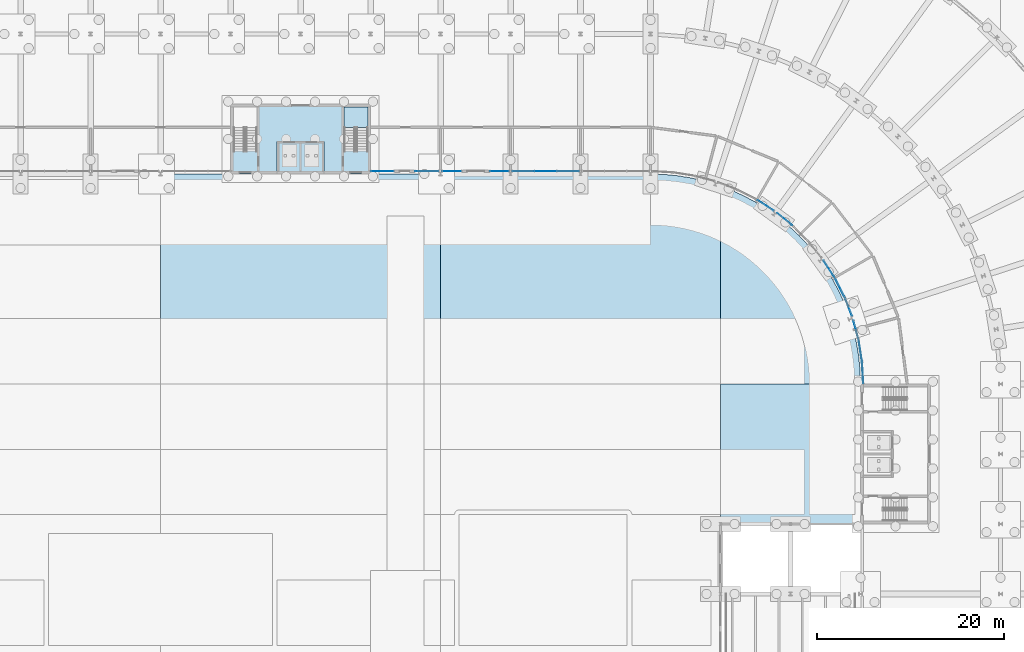
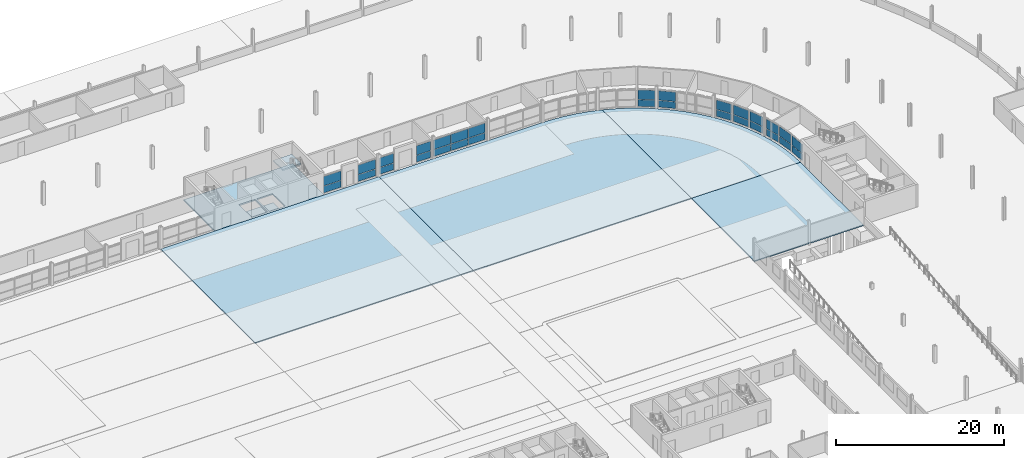
# One storey, part 73 of 130: 30 plates, 7 slabs, 14 elements without a shape of their own.
"""IFC4 building model written with IfcOpenShell, lengths in metres."""

from ifc_helpers import new_model, si_unit, direction, frame, origin, origin_2d, place, context, subcontext, project, spatial, polyline, rectangle, outline, extrude, material, layer, layer_set, type_object, element, aggregate, save


model = new_model("IFC4")

# Units and contexts
model_context = context("Model", 3, precision=1e-05, world=origin(), true_north=direction((0.0, 1.0)))
body_context = subcontext(model_context, "Body", "Model", "MODEL_VIEW")
ifc_project = project(units=[si_unit("LENGTHUNIT", "METRE"), si_unit("AREAUNIT", "SQUARE_METRE"), si_unit("VOLUMEUNIT", "CUBIC_METRE"), si_unit("PLANEANGLEUNIT", "RADIAN"), si_unit("MASSUNIT", "GRAM", prefix="KILO")], contexts=[model_context])

# Site, building, storey
site_placement = place(None, origin())
site = spatial("IfcSite", under=ifc_project, at=site_placement, CompositionType="ELEMENT")
building_placement = place(site_placement, origin())
building = spatial("IfcBuilding", under=site, at=building_placement, Name="Parallax Yard Mobility Hub", CompositionType="ELEMENT")
storey_placement = place(building_placement, origin())
storey = spatial("IfcBuildingStorey", under=building, at=storey_placement, Name="L00", CompositionType="ELEMENT", Elevation=0.0)

# Slab
ifc_material_1 = material(Name="Concrete fc' 28 MPa", Category="concrete")
ifc_layer_1 = layer(ifc_material_1, 0.199951171875)
ifc_layer_set_1 = layer_set([ifc_layer_1], Name="Core ground slab 200")
slab_type_1 = type_object("IfcSlabType", Name="Core ground slab 200", PredefinedType="BASESLAB", material=ifc_layer_set_1)
slab_1_placement = place(storey_placement, frame((0.0, 0.0, -0.199951171875)))
element("IfcSlab", 1, at=slab_1_placement, inside=storey, type_object=slab_type_1, Name="Core C-N2 ground slab", PredefinedType="BASESLAB", context=body_context, shape_type="SweptSolid", body=[
    extrude(outline(polyline([(142.5, 112.5), (127.5, 112.5), (127.5, 120.0), (142.5, 120.0), (142.5, 112.5)]), holes=[polyline([(137.300048828125, 112.800048828125), (137.300048828125, 115.800048828125), (135.10009765625, 115.800048828125), (135.10009765625, 112.800048828125), (137.300048828125, 112.800048828125)]), polyline([(132.699951171875, 112.800048828125), (134.89990234375, 112.800048828125), (134.89990234375, 115.800048828125), (132.699951171875, 115.800048828125), (132.699951171875, 112.800048828125)])]), origin(), (0.0, 0.0, 1.0), 0.199951171875),
])

# Curtain wall, plates
ifc_material_2 = material(Name="Aluminium and glass curtain wall", Category="aluminium")
curtain_wall_type = type_object("IfcCurtainWallType", Name="Curtain wall, aluminium stick system", PredefinedType="NOTDEFINED", material=ifc_material_2)
curtain_wall_1_placement = place(storey_placement, origin())
curtain_wall_1 = element("IfcCurtainWall", 2, at=curtain_wall_1_placement, inside=storey, type_object=curtain_wall_type, Name="Curtain wall CW18 level L00 bay 14", PredefinedType="NOTDEFINED")
ifc_material_3 = material(Name="Glass, laminated double glazing", Category="glass")
ifc_layer_2 = layer(ifc_material_3, 0.028076171875)
ifc_layer_set_2 = layer_set([ifc_layer_2], Name="Curtain wall glass, laminated double glazing 28")
plate_type = type_object("IfcPlateType", Name="Curtain wall glass, laminated double glazing 28", PredefinedType="CURTAIN_PANEL", material=ifc_layer_set_2)
plate_1_placement = place(storey_placement, frame((143.779541015625, 112.800048828125, 0.06005859375), z_axis=(0.0, 0.0, 1.0), x_axis=(1.0, 0.0, 0.0)))
plate_1 = element("IfcPlate", 3, at=plate_1_placement, type_object=plate_type, Name="CW18 panel 1.1", PredefinedType="CURTAIN_PANEL", context=body_context, shape_type="SweptSolid", body=[
    extrude(rectangle(XDim=2.428955078125, YDim=0.028076171875, at=origin_2d()), origin(), (0.0, 0.0, 1.0), 0.9599609375),
])
plate_2_placement = place(storey_placement, frame((143.779541015625, 112.800048828125, 1.080078125), z_axis=(0.0, 0.0, 1.0), x_axis=(1.0, 0.0, 0.0)))
plate_2 = element("IfcPlate", 4, at=plate_2_placement, type_object=plate_type, Name="CW18 panel 1.2", PredefinedType="CURTAIN_PANEL", context=body_context, shape_type="SweptSolid", body=[
    extrude(rectangle(XDim=2.428955078125, YDim=0.028076171875, at=origin_2d()), origin(), (0.0, 0.0, 1.0), 1.360107421875),
])
aggregate(curtain_wall_1, [plate_1, plate_2])

curtain_wall_2_placement = place(storey_placement, origin())
curtain_wall_2 = element("IfcCurtainWall", 5, at=curtain_wall_2_placement, inside=storey, type_object=curtain_wall_type, Name="Curtain wall CW19 level L00 bay 14", PredefinedType="NOTDEFINED")
plate_3_placement = place(storey_placement, frame((148.528564453125, 112.800048828125, 0.06005859375), z_axis=(0.0, 0.0, 1.0), x_axis=(1.0, 0.0, 0.0)))
plate_3 = element("IfcPlate", 6, at=plate_3_placement, type_object=plate_type, Name="CW19 panel 1.1", PredefinedType="CURTAIN_PANEL", context=body_context, shape_type="SweptSolid", body=[
    extrude(rectangle(XDim=2.428955078125, YDim=0.028076171875, at=origin_2d()), origin(), (0.0, 0.0, 1.0), 0.9599609375),
])
plate_4_placement = place(storey_placement, frame((148.528564453125, 112.800048828125, 1.080078125), z_axis=(0.0, 0.0, 1.0), x_axis=(1.0, 0.0, 0.0)))
plate_4 = element("IfcPlate", 7, at=plate_4_placement, type_object=plate_type, Name="CW19 panel 1.2", PredefinedType="CURTAIN_PANEL", context=body_context, shape_type="SweptSolid", body=[
    extrude(rectangle(XDim=2.428955078125, YDim=0.028076171875, at=origin_2d()), origin(), (0.0, 0.0, 1.0), 1.360107421875),
])
aggregate(curtain_wall_2, [plate_3, plate_4])

curtain_wall_3_placement = place(storey_placement, origin())
curtain_wall_3 = element("IfcCurtainWall", 8, at=curtain_wall_3_placement, inside=storey, type_object=curtain_wall_type, Name="Curtain wall CW20 level L00 bay 15", PredefinedType="NOTDEFINED")
plate_5_placement = place(storey_placement, frame((151.234375, 112.800048828125, 0.06005859375), z_axis=(0.0, 0.0, 1.0), x_axis=(1.0, 0.0, 0.0)))
plate_5 = element("IfcPlate", 9, at=plate_5_placement, type_object=plate_type, Name="CW20 panel 1.1", PredefinedType="CURTAIN_PANEL", context=body_context, shape_type="SweptSolid", body=[
    extrude(rectangle(XDim=1.95458984375, YDim=0.028076171875, at=origin_2d()), origin(), (0.0, 0.0, 1.0), 0.9599609375),
])
plate_6_placement = place(storey_placement, frame((151.234375, 112.800048828125, 1.080078125), z_axis=(0.0, 0.0, 1.0), x_axis=(1.0, 0.0, 0.0)))
plate_6 = element("IfcPlate", 10, at=plate_6_placement, type_object=plate_type, Name="CW20 panel 1.2", PredefinedType="CURTAIN_PANEL", context=body_context, shape_type="SweptSolid", body=[
    extrude(rectangle(XDim=1.95458984375, YDim=0.028076171875, at=origin_2d()), origin(), (0.0, 0.0, 1.0), 1.360107421875),
])
aggregate(curtain_wall_3, [plate_5, plate_6])

curtain_wall_4_placement = place(storey_placement, origin())
curtain_wall_4 = element("IfcCurtainWall", 11, at=curtain_wall_4_placement, inside=storey, type_object=curtain_wall_type, Name="Curtain wall CW21 level L00 bay 15", PredefinedType="NOTDEFINED")
plate_7_placement = place(storey_placement, frame((156.30908203125, 112.800048828125, 0.06005859375), z_axis=(0.0, 0.0, 1.0), x_axis=(1.0, 0.0, 0.0)))
plate_7 = element("IfcPlate", 12, at=plate_7_placement, type_object=plate_type, Name="CW21 panel 1.1", PredefinedType="CURTAIN_PANEL", context=body_context, shape_type="SweptSolid", body=[
    extrude(rectangle(XDim=1.954833984375, YDim=0.028076171875, at=origin_2d()), origin(), (0.0, 0.0, 1.0), 0.9599609375),
])
plate_8_placement = place(storey_placement, frame((156.30908203125, 112.800048828125, 1.080078125), z_axis=(0.0, 0.0, 1.0), x_axis=(1.0, 0.0, 0.0)))
plate_8 = element("IfcPlate", 13, at=plate_8_placement, type_object=plate_type, Name="CW21 panel 1.2", PredefinedType="CURTAIN_PANEL", context=body_context, shape_type="SweptSolid", body=[
    extrude(rectangle(XDim=1.954833984375, YDim=0.028076171875, at=origin_2d()), origin(), (0.0, 0.0, 1.0), 1.360107421875),
])
aggregate(curtain_wall_4, [plate_7, plate_8])

curtain_wall_5_placement = place(storey_placement, origin())
curtain_wall_5 = element("IfcCurtainWall", 14, at=curtain_wall_5_placement, inside=storey, type_object=curtain_wall_type, Name="Curtain wall CW22 level L00 bay 16", PredefinedType="NOTDEFINED")
plate_9_placement = place(storey_placement, frame((158.867431640625, 112.800048828125, 0.06005859375), z_axis=(0.0, 0.0, 1.0), x_axis=(1.0, 0.0, 0.0)))
plate_9 = element("IfcPlate", 15, at=plate_9_placement, type_object=plate_type, Name="CW22 panel 1.1", PredefinedType="CURTAIN_PANEL", context=body_context, shape_type="SweptSolid", body=[
    extrude(rectangle(XDim=2.3076171875, YDim=0.028076171875, at=origin_2d()), origin(), (0.0, 0.0, 1.0), 0.9599609375),
])
plate_10_placement = place(storey_placement, frame((158.867431640625, 112.800048828125, 1.080078125), z_axis=(0.0, 0.0, 1.0), x_axis=(1.0, 0.0, 0.0)))
plate_10 = element("IfcPlate", 16, at=plate_10_placement, type_object=plate_type, Name="CW22 panel 1.2", PredefinedType="CURTAIN_PANEL", context=body_context, shape_type="SweptSolid", body=[
    extrude(rectangle(XDim=2.3076171875, YDim=0.028076171875, at=origin_2d()), origin(), (0.0, 0.0, 1.0), 1.360107421875),
])
plate_11_placement = place(storey_placement, frame((161.25, 112.800048828125, 0.06005859375), z_axis=(0.0, 0.0, 1.0), x_axis=(1.0, 0.0, 0.0)))
plate_11 = element("IfcPlate", 17, at=plate_11_placement, type_object=plate_type, Name="CW22 panel 2.1", PredefinedType="CURTAIN_PANEL", context=body_context, shape_type="SweptSolid", body=[
    extrude(rectangle(XDim=2.337646484375, YDim=0.028076171875, at=origin_2d()), origin(), (0.0, 0.0, 1.0), 0.9599609375),
])
plate_12_placement = place(storey_placement, frame((161.25, 112.800048828125, 1.080078125), z_axis=(0.0, 0.0, 1.0), x_axis=(1.0, 0.0, 0.0)))
plate_12 = element("IfcPlate", 18, at=plate_12_placement, type_object=plate_type, Name="CW22 panel 2.2", PredefinedType="CURTAIN_PANEL", context=body_context, shape_type="SweptSolid", body=[
    extrude(rectangle(XDim=2.337646484375, YDim=0.028076171875, at=origin_2d()), origin(), (0.0, 0.0, 1.0), 1.360107421875),
])
plate_13_placement = place(storey_placement, frame((163.632568359375, 112.800048828125, 0.06005859375), z_axis=(0.0, 0.0, 1.0), x_axis=(1.0, 0.0, 0.0)))
plate_13 = element("IfcPlate", 19, at=plate_13_placement, type_object=plate_type, Name="CW22 panel 3.1", PredefinedType="CURTAIN_PANEL", context=body_context, shape_type="SweptSolid", body=[
    extrude(rectangle(XDim=2.3076171875, YDim=0.028076171875, at=origin_2d()), origin(), (0.0, 0.0, 1.0), 0.9599609375),
])
plate_14_placement = place(storey_placement, frame((163.632568359375, 112.800048828125, 1.080078125), z_axis=(0.0, 0.0, 1.0), x_axis=(1.0, 0.0, 0.0)))
plate_14 = element("IfcPlate", 20, at=plate_14_placement, type_object=plate_type, Name="CW22 panel 3.2", PredefinedType="CURTAIN_PANEL", context=body_context, shape_type="SweptSolid", body=[
    extrude(rectangle(XDim=2.3076171875, YDim=0.028076171875, at=origin_2d()), origin(), (0.0, 0.0, 1.0), 1.360107421875),
])
aggregate(curtain_wall_5, [plate_9, plate_10, plate_11, plate_12, plate_13, plate_14])

curtain_wall_6_placement = place(storey_placement, origin())
curtain_wall_6 = element("IfcCurtainWall", 21, at=curtain_wall_6_placement, inside=storey, type_object=curtain_wall_type, Name="Curtain wall CW29 level L00 bay 19.3", PredefinedType="NOTDEFINED")
plate_15_placement = place(storey_placement, frame((184.85107421875, 109.12158203125, 0.06005859375), z_axis=(0.0, 0.0, 1.0), x_axis=(0.835988848035, -0.548746431387, 0.0)))
plate_15 = element("IfcPlate", 22, at=plate_15_placement, type_object=plate_type, Name="CW29 panel 1.1", PredefinedType="CURTAIN_PANEL", context=body_context, shape_type="SweptSolid", body=[
    extrude(rectangle(XDim=2.040283203125, YDim=0.028076171875, at=origin_2d()), origin(), (0.0, 0.0, 1.0), 0.9599609375),
])
plate_16_placement = place(storey_placement, frame((184.85107421875, 109.12158203125, 1.080078125), z_axis=(0.0, 0.0, 1.0), x_axis=(0.835988848035, -0.548746431387, 0.0)))
plate_16 = element("IfcPlate", 23, at=plate_16_placement, type_object=plate_type, Name="CW29 panel 1.2", PredefinedType="CURTAIN_PANEL", context=body_context, shape_type="SweptSolid", body=[
    extrude(rectangle(XDim=2.040283203125, YDim=0.028076171875, at=origin_2d()), origin(), (0.0, 0.0, 1.0), 1.360107421875),
])
aggregate(curtain_wall_6, [plate_15, plate_16])

curtain_wall_7_placement = place(storey_placement, origin())
curtain_wall_7 = element("IfcCurtainWall", 24, at=curtain_wall_7_placement, inside=storey, type_object=curtain_wall_type, Name="Curtain wall CW30 level L00 bay 20.1", PredefinedType="NOTDEFINED")
plate_17_placement = place(storey_placement, frame((186.867431640625, 107.651611328125, 0.06005859375), z_axis=(0.0, 0.0, 1.0), x_axis=(0.778159668516, -0.628066501491, 0.0)))
plate_17 = element("IfcPlate", 25, at=plate_17_placement, type_object=plate_type, Name="CW30 panel 1.1", PredefinedType="CURTAIN_PANEL", context=body_context, shape_type="SweptSolid", body=[
    extrude(rectangle(XDim=2.039306640625, YDim=0.028076171875, at=origin_2d()), origin(), (0.0, 0.0, 1.0), 0.9599609375),
])
plate_18_placement = place(storey_placement, frame((186.867431640625, 107.651611328125, 1.080078125), z_axis=(0.0, 0.0, 1.0), x_axis=(0.778159668516, -0.628066501491, 0.0)))
plate_18 = element("IfcPlate", 26, at=plate_18_placement, type_object=plate_type, Name="CW30 panel 1.2", PredefinedType="CURTAIN_PANEL", context=body_context, shape_type="SweptSolid", body=[
    extrude(rectangle(XDim=2.039306640625, YDim=0.028076171875, at=origin_2d()), origin(), (0.0, 0.0, 1.0), 1.360107421875),
])
aggregate(curtain_wall_7, [plate_17, plate_18])

curtain_wall_8_placement = place(storey_placement, origin())
curtain_wall_8 = element("IfcCurtainWall", 27, at=curtain_wall_8_placement, inside=storey, type_object=curtain_wall_type, Name="Curtain wall CW33 level L00 bay 21.1", PredefinedType="NOTDEFINED")
plate_19_placement = place(storey_placement, frame((191.621826171875, 102.350830078125, 0.06005859375), z_axis=(0.0, 0.0, 1.0), x_axis=(0.548756552518, -0.835982204397, 0.0)))
plate_19 = element("IfcPlate", 28, at=plate_19_placement, type_object=plate_type, Name="CW33 panel 1.1", PredefinedType="CURTAIN_PANEL", context=body_context, shape_type="SweptSolid", body=[
    extrude(rectangle(XDim=2.0400390625, YDim=0.028076171875, at=origin_2d()), origin(), (0.0, 0.0, 1.0), 0.9599609375),
])
plate_20_placement = place(storey_placement, frame((191.621826171875, 102.350830078125, 1.080078125), z_axis=(0.0, 0.0, 1.0), x_axis=(0.548756552518, -0.835982204397, 0.0)))
plate_20 = element("IfcPlate", 29, at=plate_20_placement, type_object=plate_type, Name="CW33 panel 1.2", PredefinedType="CURTAIN_PANEL", context=body_context, shape_type="SweptSolid", body=[
    extrude(rectangle(XDim=2.0400390625, YDim=0.028076171875, at=origin_2d()), origin(), (0.0, 0.0, 1.0), 1.360107421875),
])
aggregate(curtain_wall_8, [plate_19, plate_20])

curtain_wall_9_placement = place(storey_placement, origin())
curtain_wall_9 = element("IfcCurtainWall", 30, at=curtain_wall_9_placement, inside=storey, type_object=curtain_wall_type, Name="Curtain wall CW34 level L00 bay 21.2", PredefinedType="NOTDEFINED")
plate_21_placement = place(storey_placement, frame((192.78271484375, 100.33349609375, 0.06005859375), z_axis=(0.0, 0.0, 1.0), x_axis=(0.449603786669, -0.893228097976, 0.0)))
plate_21 = element("IfcPlate", 31, at=plate_21_placement, type_object=plate_type, Name="CW34 panel 1.1", PredefinedType="CURTAIN_PANEL", context=body_context, shape_type="SweptSolid", body=[
    extrude(rectangle(XDim=2.154541015625, YDim=0.028076171875, at=origin_2d()), origin(), (0.0, 0.0, 1.0), 0.9599609375),
])
plate_22_placement = place(storey_placement, frame((192.78271484375, 100.33349609375, 1.080078125), z_axis=(0.0, 0.0, 1.0), x_axis=(0.449603786669, -0.893228097976, 0.0)))
plate_22 = element("IfcPlate", 32, at=plate_22_placement, type_object=plate_type, Name="CW34 panel 1.2", PredefinedType="CURTAIN_PANEL", context=body_context, shape_type="SweptSolid", body=[
    extrude(rectangle(XDim=2.154541015625, YDim=0.028076171875, at=origin_2d()), origin(), (0.0, 0.0, 1.0), 1.360107421875),
])
aggregate(curtain_wall_9, [plate_21, plate_22])

curtain_wall_10_placement = place(storey_placement, origin())
curtain_wall_10 = element("IfcCurtainWall", 33, at=curtain_wall_10_placement, inside=storey, type_object=curtain_wall_type, Name="Curtain wall CW35 level L00 bay 21.3", PredefinedType="NOTDEFINED")
plate_23_placement = place(storey_placement, frame((193.718505859375, 98.232421875, 0.06005859375), z_axis=(0.0, 0.0, 1.0), x_axis=(0.359917991514, -0.932983943798, 0.0)))
plate_23 = element("IfcPlate", 34, at=plate_23_placement, type_object=plate_type, Name="CW35 panel 1.1", PredefinedType="CURTAIN_PANEL", context=body_context, shape_type="SweptSolid", body=[
    extrude(rectangle(XDim=1.9921875, YDim=0.028076171875, at=origin_2d()), origin(), (0.0, 0.0, 1.0), 0.9599609375),
])
plate_24_placement = place(storey_placement, frame((193.718505859375, 98.232421875, 1.080078125), z_axis=(0.0, 0.0, 1.0), x_axis=(0.359917991514, -0.932983943798, 0.0)))
plate_24 = element("IfcPlate", 35, at=plate_24_placement, type_object=plate_type, Name="CW35 panel 1.2", PredefinedType="CURTAIN_PANEL", context=body_context, shape_type="SweptSolid", body=[
    extrude(rectangle(XDim=1.9921875, YDim=0.028076171875, at=origin_2d()), origin(), (0.0, 0.0, 1.0), 1.360107421875),
])
aggregate(curtain_wall_10, [plate_23, plate_24])

curtain_wall_11_placement = place(storey_placement, origin())
curtain_wall_11 = element("IfcCurtainWall", 36, at=curtain_wall_11_placement, inside=storey, type_object=curtain_wall_type, Name="Curtain wall CW36 level L00 bay 22.1", PredefinedType="NOTDEFINED")
plate_25_placement = place(storey_placement, frame((194.506591796875, 95.81396484375, 0.06005859375), z_axis=(0.0, 0.0, 1.0), x_axis=(0.258838673012, -0.965920566793, 0.0)))
plate_25 = element("IfcPlate", 37, at=plate_25_placement, type_object=plate_type, Name="CW36 panel 1.1", PredefinedType="CURTAIN_PANEL", context=body_context, shape_type="SweptSolid", body=[
    extrude(rectangle(XDim=1.991455078125, YDim=0.028076171875, at=origin_2d()), origin(), (0.0, 0.0, 1.0), 0.9599609375),
])
plate_26_placement = place(storey_placement, frame((194.506591796875, 95.81396484375, 1.080078125), z_axis=(0.0, 0.0, 1.0), x_axis=(0.258838673012, -0.965920566793, 0.0)))
plate_26 = element("IfcPlate", 38, at=plate_26_placement, type_object=plate_type, Name="CW36 panel 1.2", PredefinedType="CURTAIN_PANEL", context=body_context, shape_type="SweptSolid", body=[
    extrude(rectangle(XDim=1.991455078125, YDim=0.028076171875, at=origin_2d()), origin(), (0.0, 0.0, 1.0), 1.360107421875),
])
aggregate(curtain_wall_11, [plate_25, plate_26])

curtain_wall_12_placement = place(storey_placement, origin())
curtain_wall_12 = element("IfcCurtainWall", 39, at=curtain_wall_12_placement, inside=storey, type_object=curtain_wall_type, Name="Curtain wall CW37 level L00 bay 22.2", PredefinedType="NOTDEFINED")
plate_27_placement = place(storey_placement, frame((194.97900390625, 93.5625, 0.06005859375), z_axis=(0.0, 0.0, 1.0), x_axis=(0.154936611265, -0.987924413348, 0.0)))
plate_27 = element("IfcPlate", 40, at=plate_27_placement, type_object=plate_type, Name="CW37 panel 1.1", PredefinedType="CURTAIN_PANEL", context=body_context, shape_type="SweptSolid", body=[
    extrude(rectangle(XDim=2.152587890625, YDim=0.028076171875, at=origin_2d()), origin(), (0.0, 0.0, 1.0), 0.9599609375),
])
plate_28_placement = place(storey_placement, frame((194.97900390625, 93.5625, 1.080078125), z_axis=(0.0, 0.0, 1.0), x_axis=(0.154936611265, -0.987924413348, 0.0)))
plate_28 = element("IfcPlate", 41, at=plate_28_placement, type_object=plate_type, Name="CW37 panel 1.2", PredefinedType="CURTAIN_PANEL", context=body_context, shape_type="SweptSolid", body=[
    extrude(rectangle(XDim=2.152587890625, YDim=0.028076171875, at=origin_2d()), origin(), (0.0, 0.0, 1.0), 1.360107421875),
])
aggregate(curtain_wall_12, [plate_27, plate_28])

curtain_wall_13_placement = place(storey_placement, origin())
curtain_wall_13 = element("IfcCurtainWall", 42, at=curtain_wall_13_placement, inside=storey, type_object=curtain_wall_type, Name="Curtain wall CW38 level L00 bay 22.3", PredefinedType="NOTDEFINED")
plate_29_placement = place(storey_placement, frame((195.233154296875, 91.176513671875, 0.06005859375), z_axis=(0.0, 0.0, 1.0), x_axis=(0.057366186116, -0.998353204377, 0.0)))
plate_29 = element("IfcPlate", 43, at=plate_29_placement, type_object=plate_type, Name="CW38 panel 1.1", PredefinedType="CURTAIN_PANEL", context=body_context, shape_type="SweptSolid", body=[
    extrude(rectangle(XDim=2.193115234375, YDim=0.028076171875, at=origin_2d()), origin(), (0.0, 0.0, 1.0), 0.9599609375),
])
plate_30_placement = place(storey_placement, frame((195.233154296875, 91.176513671875, 1.080078125), z_axis=(0.0, 0.0, 1.0), x_axis=(0.057366186116, -0.998353204377, 0.0)))
plate_30 = element("IfcPlate", 44, at=plate_30_placement, type_object=plate_type, Name="CW38 panel 1.2", PredefinedType="CURTAIN_PANEL", context=body_context, shape_type="SweptSolid", body=[
    extrude(rectangle(XDim=2.193115234375, YDim=0.028076171875, at=origin_2d()), origin(), (0.0, 0.0, 1.0), 1.360107421875),
])
aggregate(curtain_wall_13, [plate_29, plate_30])

# Stair, slab
ifc_material_4 = material(Name="Concrete fc' 35 MPa", Category="concrete")
stair_type = type_object("IfcStairType", Name="Exit stair 1200 dog-leg", PredefinedType="HALF_TURN_STAIR", material=ifc_material_4)
stair_placement = place(storey_placement, origin())
stair = element("IfcStair", 45, at=stair_placement, inside=storey, type_object=stair_type, Name="L00 Exit stair 1 of core C-N2", PredefinedType="HALF_TURN_STAIR")
ifc_layer_3 = layer(ifc_material_4, 0.199951171875)
ifc_layer_set_3 = layer_set([ifc_layer_3], Name="Exit stair landing 200")
slab_type_2 = type_object("IfcSlabType", Name="Exit stair landing 200", PredefinedType="LANDING", material=ifc_layer_set_3)
slab_2_placement = place(storey_placement, frame((0.0, 0.0, 1.449951171875)))
slab_2 = element("IfcSlab", 46, at=slab_2_placement, type_object=slab_type_2, Name="ST5 landing 1", PredefinedType="LANDING", context=body_context, shape_type="SweptSolid", body=[
    extrude(outline(polyline([(142.199951171875, 117.465087890625), (142.199951171875, 119.699951171875), (139.64990234375, 119.699951171875), (139.64990234375, 117.465087890625), (142.199951171875, 117.465087890625)])), origin(), (0.0, 0.0, 1.0), 0.199951171875),
])
aggregate(stair, [slab_2])

# Slabs
ifc_layer_4 = layer(ifc_material_1, 0.300048828125)
ifc_layer_set_4 = layer_set([ifc_layer_4], Name="Lift pit slab 300")
slab_type_3 = type_object("IfcSlabType", Name="Lift pit slab 300", PredefinedType="BASESLAB", material=ifc_layer_set_4)
slab_3_placement = place(storey_placement, frame((0.0, 0.0, -1.800048828125)))
element("IfcSlab", 47, at=slab_3_placement, inside=storey, type_object=slab_type_3, Name="Core C-N2 lift pit slab (shaft group 1)", PredefinedType="BASESLAB", context=body_context, shape_type="SweptSolid", body=[
    extrude(outline(polyline([(137.5, 116.0), (132.5, 116.0), (132.5, 112.5), (137.5, 112.5), (137.5, 116.0)])), origin(), (0.0, 0.0, 1.0), 0.300048828125),
])
ifc_layer_5 = layer(ifc_material_1, 0.14990234375)
ifc_layer_set_5 = layer_set([ifc_layer_5], Name="Public yard paving 150")
slab_type_4 = type_object("IfcSlabType", Name="Public yard paving 150", PredefinedType="FLOOR", material=ifc_layer_set_5)
slab_4_placement = place(storey_placement, frame((0.0, 0.0, -0.14990234375)))
element("IfcSlab", 48, at=slab_4_placement, inside=storey, type_object=slab_type_4, Name="Public yard paving panel 20", PredefinedType="FLOOR", context=body_context, shape_type="SweptSolid", body=[
    extrude(outline(polyline([(127.5, 112.4990234375), (127.5, 112.4990234375), (127.500244140625, 112.4990234375), (127.500244140625, 112.4990234375), (127.50048828125, 112.4990234375), (127.50048828125, 112.4990234375), (127.50048828125, 112.499267578125), (127.50048828125, 112.499267578125), (127.500732421875, 112.499267578125), (127.500732421875, 112.49951171875), (127.500732421875, 112.49951171875), (127.5009765625, 112.49951171875), (127.5009765625, 112.49951171875), (127.5009765625, 112.499755859375), (127.5009765625, 112.499755859375), (127.5009765625, 112.5), (127.5009765625, 112.5), (142.4990234375, 112.5), (142.4990234375, 112.5), (142.4990234375, 112.499755859375), (142.4990234375, 112.499755859375), (142.4990234375, 112.49951171875), (142.4990234375, 112.49951171875), (142.499267578125, 112.49951171875), (142.499267578125, 112.49951171875), (142.499267578125, 112.499267578125), (142.49951171875, 112.499267578125), (142.49951171875, 112.499267578125), (142.49951171875, 112.4990234375), (142.49951171875, 112.4990234375), (142.499755859375, 112.4990234375), (142.499755859375, 112.4990234375), (142.5, 112.4990234375), (142.5, 112.4990234375), (149.875, 112.4990234375), (149.875, 112.4990234375), (149.875244140625, 112.4990234375), (149.875244140625, 112.4990234375), (149.87548828125, 112.4990234375), (149.87548828125, 112.4990234375), (149.87548828125, 112.499267578125), (149.87548828125, 112.499267578125), (149.875732421875, 112.499267578125), (149.875732421875, 112.49951171875), (149.875732421875, 112.49951171875), (149.8759765625, 112.49951171875), (149.8759765625, 112.49951171875), (149.8759765625, 112.499755859375), (149.8759765625, 112.499755859375), (149.8759765625, 112.5), (149.8759765625, 112.5), (150.0, 112.5), (150.0, 90.0), (120.0, 90.0), (120.0, 112.4990234375), (127.5, 112.4990234375)])), origin(), (0.0, 0.0, 1.0), 0.14990234375),
])
slab_5_placement = place(storey_placement, frame((0.0, 0.0, -0.14990234375)))
element("IfcSlab", 49, at=slab_5_placement, inside=storey, type_object=slab_type_4, Name="Public yard paving panel 25", PredefinedType="FLOOR", context=body_context, shape_type="SweptSolid", body=[
    extrude(outline(polyline([(150.1240234375, 112.5), (150.1240234375, 112.5), (150.1240234375, 112.499755859375), (150.1240234375, 112.499755859375), (150.1240234375, 112.49951171875), (150.1240234375, 112.49951171875), (150.124267578125, 112.49951171875), (150.124267578125, 112.49951171875), (150.124267578125, 112.499267578125), (150.12451171875, 112.499267578125), (150.12451171875, 112.499267578125), (150.12451171875, 112.4990234375), (150.12451171875, 112.4990234375), (150.124755859375, 112.4990234375), (150.124755859375, 112.4990234375), (150.125, 112.4990234375), (150.125, 112.4990234375), (157.39990234375, 112.4990234375), (157.400146484375, 112.4990234375), (157.400146484375, 112.4990234375), (157.400390625, 112.4990234375), (157.400390625, 112.4990234375), (157.400390625, 112.4990234375), (157.400634765625, 112.499267578125), (157.400634765625, 112.499267578125), (157.400634765625, 112.499267578125), (157.40087890625, 112.49951171875), (157.40087890625, 112.49951171875), (157.40087890625, 112.49951171875), (157.40087890625, 112.49951171875), (157.40087890625, 112.499755859375), (157.40087890625, 112.499755859375), (157.40087890625, 112.5), (157.40087890625, 112.5), (157.59912109375, 112.5), (157.59912109375, 112.5), (157.59912109375, 112.499755859375), (157.59912109375, 112.499755859375), (157.59912109375, 112.49951171875), (157.59912109375, 112.49951171875), (157.59912109375, 112.49951171875), (157.59912109375, 112.49951171875), (157.599365234375, 112.499267578125), (157.599365234375, 112.499267578125), (157.599365234375, 112.499267578125), (157.599609375, 112.4990234375), (157.599609375, 112.4990234375), (157.599609375, 112.4990234375), (157.599853515625, 112.4990234375), (157.599853515625, 112.4990234375), (157.60009765625, 112.4990234375), (164.89990234375, 112.4990234375), (164.900146484375, 112.4990234375), (164.900146484375, 112.4990234375), (164.900390625, 112.4990234375), (164.900390625, 112.4990234375), (164.900390625, 112.4990234375), (164.900634765625, 112.499267578125), (164.900634765625, 112.499267578125), (164.900634765625, 112.499267578125), (164.90087890625, 112.49951171875), (164.90087890625, 112.49951171875), (164.90087890625, 112.49951171875), (164.90087890625, 112.49951171875), (164.90087890625, 112.499755859375), (164.90087890625, 112.499755859375), (164.90087890625, 112.5), (164.90087890625, 112.5), (165.09912109375, 112.5), (165.09912109375, 112.5), (165.09912109375, 112.499755859375), (165.09912109375, 112.499755859375), (165.09912109375, 112.49951171875), (165.09912109375, 112.49951171875), (165.09912109375, 112.49951171875), (165.09912109375, 112.49951171875), (165.099365234375, 112.499267578125), (165.099365234375, 112.499267578125), (165.099365234375, 112.499267578125), (165.099609375, 112.4990234375), (165.099609375, 112.4990234375), (165.099609375, 112.4990234375), (165.099853515625, 112.4990234375), (165.099853515625, 112.4990234375), (165.10009765625, 112.4990234375), (172.39990234375, 112.4990234375), (172.400146484375, 112.4990234375), (172.400146484375, 112.4990234375), (172.400390625, 112.4990234375), (172.400390625, 112.4990234375), (172.400390625, 112.4990234375), (172.400634765625, 112.499267578125), (172.400634765625, 112.499267578125), (172.400634765625, 112.499267578125), (172.40087890625, 112.49951171875), (172.40087890625, 112.49951171875), (172.40087890625, 112.49951171875), (172.40087890625, 112.49951171875), (172.40087890625, 112.499755859375), (172.40087890625, 112.499755859375), (172.40087890625, 112.5), (172.40087890625, 112.5), (172.4990234375, 112.5), (172.4990234375, 112.5), (172.4990234375, 112.499755859375), (172.4990234375, 112.499755859375), (172.4990234375, 112.49951171875), (172.4990234375, 112.49951171875), (172.499267578125, 112.49951171875), (172.499267578125, 112.49951171875), (172.499267578125, 112.499267578125), (172.499267578125, 112.499267578125), (172.49951171875, 112.499267578125), (172.49951171875, 112.4990234375), (172.49951171875, 112.4990234375), (172.499755859375, 112.4990234375), (172.499755859375, 112.4990234375), (172.5, 112.4990234375), (172.5, 112.4990234375), (173.971435546875, 112.45068359375), (175.436767578125, 112.306396484375), (176.889404296875, 112.066650390625), (178.310546875, 111.7353515625), (178.310546875, 111.7353515625), (178.310791015625, 111.7353515625), (178.310791015625, 111.7353515625), (178.310791015625, 111.7353515625), (178.31103515625, 111.7353515625), (178.31103515625, 111.7353515625), (178.31103515625, 111.7353515625), (178.311279296875, 111.7353515625), (178.311279296875, 111.735595703125), (178.311279296875, 111.735595703125), (178.311279296875, 111.735595703125), (178.3115234375, 111.735595703125), (178.3115234375, 111.73583984375), (178.3115234375, 111.73583984375), (178.3115234375, 111.736083984375), (178.311767578125, 111.736083984375), (178.311767578125, 111.736083984375), (178.323486328125, 111.7333984375), (178.335205078125, 111.729736328125), (178.335205078125, 111.729736328125), (178.335205078125, 111.729736328125), (178.335205078125, 111.7294921875), (178.335205078125, 111.7294921875), (178.335205078125, 111.7294921875), (178.335205078125, 111.729248046875), (178.335205078125, 111.729248046875), (178.335205078125, 111.72900390625), (178.335205078125, 111.72900390625), (178.335205078125, 111.72900390625), (178.335205078125, 111.72900390625), (178.33544921875, 111.728759765625), (178.33544921875, 111.728759765625), (178.33544921875, 111.728759765625), (178.335693359375, 111.728515625), (178.335693359375, 111.728515625), (178.335693359375, 111.728515625), (179.732177734375, 111.304931640625), (180.0, 111.2041015625), (180.0, 90.0), (150.0, 90.0), (150.0, 112.5), (150.1240234375, 112.5)])), origin(), (0.0, 0.0, 1.0), 0.14990234375),
])
slab_6_placement = place(storey_placement, frame((0.0, 0.0, -0.14990234375)))
element("IfcSlab", 50, at=slab_6_placement, inside=storey, type_object=slab_type_4, Name="Public yard paving panel 28", PredefinedType="FLOOR", context=body_context, shape_type="SweptSolid", body=[
    extrude(outline(polyline([(194.9990234375, 90.0), (194.9990234375, 90.0), (194.9990234375, 89.999755859375), (194.9990234375, 89.999755859375), (194.9990234375, 89.99951171875), (194.9990234375, 89.99951171875), (194.999267578125, 89.99951171875), (194.999267578125, 89.99951171875), (194.999267578125, 89.999267578125), (194.99951171875, 89.999267578125), (194.99951171875, 89.999267578125), (194.99951171875, 89.9990234375), (194.99951171875, 89.9990234375), (194.999755859375, 89.9990234375), (194.999755859375, 89.9990234375), (195.0, 89.9990234375), (195.0, 89.9990234375), (195.0, 75.0009765625), (195.0, 75.0009765625), (194.999755859375, 75.0009765625), (194.999755859375, 75.0009765625), (194.99951171875, 75.0009765625), (194.99951171875, 75.0009765625), (194.99951171875, 75.000732421875), (194.99951171875, 75.000732421875), (194.999267578125, 75.000732421875), (194.999267578125, 75.00048828125), (194.999267578125, 75.00048828125), (194.9990234375, 75.00048828125), (194.9990234375, 75.00048828125), (194.9990234375, 75.000244140625), (194.9990234375, 75.000244140625), (194.9990234375, 75.0), (194.9990234375, 75.0), (180.0, 75.0), (180.0, 90.0), (194.9990234375, 90.0), (194.9990234375, 90.0)])), origin(), (0.0, 0.0, 1.0), 0.14990234375),
])
slab_7_placement = place(storey_placement, frame((0.0, 0.0, -0.14990234375)))
element("IfcSlab", 51, at=slab_7_placement, inside=storey, type_object=slab_type_4, Name="Public yard paving panel 29", PredefinedType="FLOOR", context=body_context, shape_type="SweptSolid", body=[
    extrude(outline(polyline([(181.110107421875, 110.786376953125), (182.451171875, 110.1787109375), (183.74951171875, 109.484619140625), (184.999755859375, 108.707275390625), (186.196533203125, 107.849609375), (187.334716796875, 106.91552734375), (188.4091796875, 105.9091796875), (189.41552734375, 104.834716796875), (190.349609375, 103.696533203125), (191.207275390625, 102.499755859375), (191.984619140625, 101.24951171875), (192.6787109375, 99.951171875), (193.286376953125, 98.610107421875), (193.804931640625, 97.232177734375), (194.228515625, 95.835693359375), (194.228515625, 95.835693359375), (194.228515625, 95.835693359375), (194.228759765625, 95.83544921875), (194.228759765625, 95.83544921875), (194.228759765625, 95.83544921875), (194.22900390625, 95.835205078125), (194.22900390625, 95.835205078125), (194.22900390625, 95.835205078125), (194.22900390625, 95.835205078125), (194.229248046875, 95.835205078125), (194.229248046875, 95.835205078125), (194.2294921875, 95.835205078125), (194.2294921875, 95.835205078125), (194.2294921875, 95.835205078125), (194.229736328125, 95.835205078125), (194.229736328125, 95.835205078125), (194.229736328125, 95.835205078125), (194.2333984375, 95.823486328125), (194.236083984375, 95.811767578125), (194.236083984375, 95.811767578125), (194.236083984375, 95.8115234375), (194.23583984375, 95.8115234375), (194.23583984375, 95.8115234375), (194.235595703125, 95.8115234375), (194.235595703125, 95.811279296875), (194.235595703125, 95.811279296875), (194.235595703125, 95.811279296875), (194.2353515625, 95.811279296875), (194.2353515625, 95.81103515625), (194.2353515625, 95.81103515625), (194.2353515625, 95.81103515625), (194.2353515625, 95.810791015625), (194.2353515625, 95.810791015625), (194.2353515625, 95.810791015625), (194.2353515625, 95.810546875), (194.2353515625, 95.810546875), (194.566650390625, 94.389404296875), (194.806396484375, 92.936767578125), (194.95068359375, 91.471435546875), (194.9990234375, 90.0), (180.0, 90.0), (180.0, 111.2041015625), (181.110107421875, 110.786376953125)])), origin(), (0.0, 0.0, 1.0), 0.14990234375),
])

save(model, "model.ifc")
